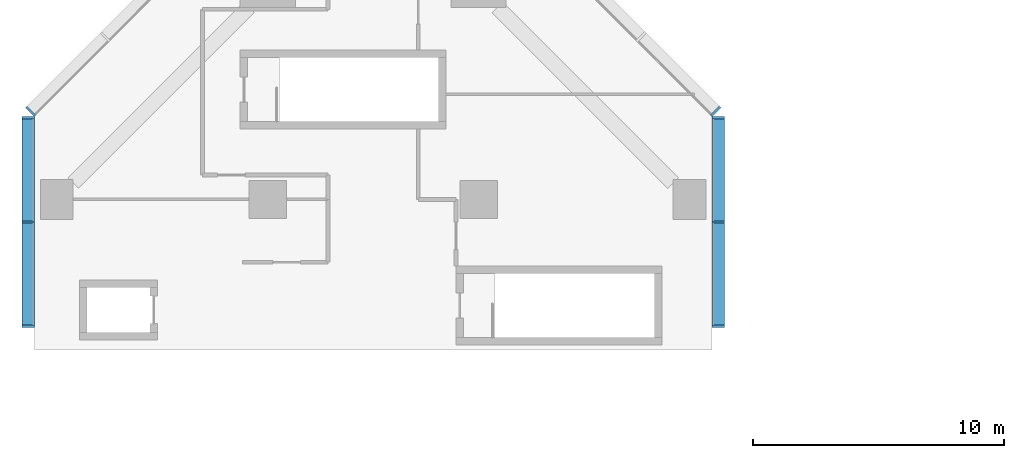
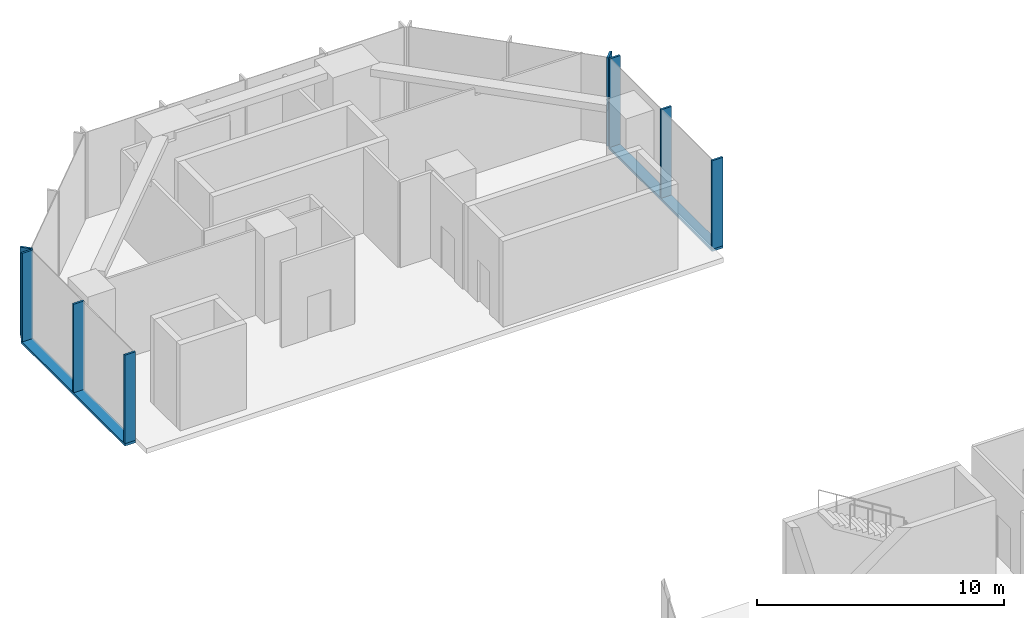
# One storey, part 3 of 13: 10 members, 4 elements without a shape of their own.
"""IFC4 building model written with IfcOpenShell, lengths in metres."""

from ifc_helpers import new_model, si_unit, direction, frame, origin, origin_2d, place, context, subcontext, project, spatial, rectangle, extrude, material, material_profile, profile_set, type_object, element, aggregate, save


model = new_model("IFC4")

# Units and contexts
model_context = context("Model", 3, precision=1e-05, world=origin(), true_north=direction((0.0, 1.0)))
body_context = subcontext(model_context, "Body", "Model", "MODEL_VIEW")
ifc_project = project(units=[si_unit("LENGTHUNIT", "METRE"), si_unit("AREAUNIT", "SQUARE_METRE"), si_unit("VOLUMEUNIT", "CUBIC_METRE"), si_unit("PLANEANGLEUNIT", "RADIAN"), si_unit("MASSUNIT", "GRAM", prefix="KILO")], contexts=[model_context])

# Site, building, storey
site_placement = place(None, origin())
site = spatial("IfcSite", under=ifc_project, at=site_placement, CompositionType="ELEMENT")
building_placement = place(site_placement, origin())
building = spatial("IfcBuilding", under=site, at=building_placement, Name="Brevane Broadcast Tower", CompositionType="ELEMENT")
storey_placement = place(building_placement, frame((0.0, 0.0, 32.0)))
storey = spatial("IfcBuildingStorey", under=building, at=storey_placement, Name="L05", CompositionType="ELEMENT", Elevation=32.0)

# Curtain wall, members
ifc_material = material(Name="Aluminium 6063-T6 bronze anodised", Category="aluminium")
curtain_wall_type = type_object("IfcCurtainWallType", Name="CW-2 curtain wall", PredefinedType="NOTDEFINED", material=ifc_material)
curtain_wall_1_placement = place(storey_placement, origin())
curtain_wall_1 = element("IfcCurtainWall", 1, at=curtain_wall_1_placement, inside=storey, type_object=curtain_wall_type, Name="CW-2 podium base unit L05 north arm east face", PredefinedType="NOTDEFINED")
ifc_material_profile_1 = material_profile(ifc_material, rectangle(XDim=0.5, YDim=0.090087890625, at=origin_2d()), Name="RECT 90x500")
ifc_profile_set_1 = profile_set([ifc_material_profile_1], Name="Aluminium 6063-T6 bronze anodised")
member_type_1 = type_object("IfcMemberType", Name="CW-2 mullion 90x500", PredefinedType="MULLION", material=ifc_profile_set_1)
member_1_placement = place(storey_placement, frame((26.35009765625, 53.7451171875, -0.1298828125), z_axis=(0.0, 0.0, 1.0), x_axis=(-1.0, 0.0, 0.0)))
member_1 = element("IfcMember", 2, at=member_1_placement, type_object=member_type_1, Name="CW-2 mullion", PredefinedType="MULLION", context=body_context, shape_type="SweptSolid", body=[
    extrude(rectangle(XDim=0.5, YDim=0.090087890625, at=origin_2d()), origin(), (0.0, 0.0, 1.0), 4.3798828125),
])
member_2_placement = place(storey_placement, frame((26.35009765625, 57.89990234375, -0.1298828125), z_axis=(0.0, 0.0, 1.0), x_axis=(-1.0, 0.0, 0.0)))
member_2 = element("IfcMember", 3, at=member_2_placement, type_object=member_type_1, Name="CW-2 mullion", PredefinedType="MULLION", context=body_context, shape_type="SweptSolid", body=[
    extrude(rectangle(XDim=0.5, YDim=0.090087890625, at=origin_2d()), origin(), (0.0, 0.0, 1.0), 4.3798828125),
])
member_3_placement = place(storey_placement, frame((26.35009765625, 62.054931640625, -0.1298828125), z_axis=(0.0, 0.0, 1.0), x_axis=(-1.0, 0.0, 0.0)))
member_3 = element("IfcMember", 4, at=member_3_placement, type_object=member_type_1, Name="CW-2 mullion", PredefinedType="MULLION", context=body_context, shape_type="SweptSolid", body=[
    extrude(rectangle(XDim=0.5, YDim=0.090087890625, at=origin_2d()), origin(), (0.0, 0.0, 1.0), 4.3798828125),
])

# Curtain wall, member
curtain_wall_2_placement = place(storey_placement, origin())
curtain_wall_2 = element("IfcCurtainWall", 5, at=curtain_wall_2_placement, inside=storey, type_object=curtain_wall_type, Name="CW-2 podium base unit L05 north arm north-east chamfer", PredefinedType="NOTDEFINED")
member_4_placement = place(storey_placement, frame((26.244873046875, 62.30859375, -0.1298828125), z_axis=(0.0, 0.0, 1.0), x_axis=(-0.707106781187, -0.707106781187, 0.0)))
member_4 = element("IfcMember", 6, at=member_4_placement, type_object=member_type_1, Name="CW-2 mullion", PredefinedType="MULLION", context=body_context, shape_type="SweptSolid", body=[
    extrude(rectangle(XDim=0.5, YDim=0.090087890625, at=origin_2d()), origin(), (0.0, 0.0, 1.0), 4.3798828125),
])
aggregate(curtain_wall_2, [member_4])

curtain_wall_3_placement = place(storey_placement, origin())
curtain_wall_3 = element("IfcCurtainWall", 7, at=curtain_wall_3_placement, inside=storey, type_object=curtain_wall_type, Name="CW-2 podium base unit L05 north-west chamfer", PredefinedType="NOTDEFINED")
member_5_placement = place(storey_placement, frame((-1.044921875, 62.30859375, -0.1298828125), z_axis=(0.0, 0.0, 1.0), x_axis=(0.707106781187, -0.707106781187, 0.0)))
member_5 = element("IfcMember", 8, at=member_5_placement, type_object=member_type_1, Name="CW-2 mullion", PredefinedType="MULLION", context=body_context, shape_type="SweptSolid", body=[
    extrude(rectangle(XDim=0.5, YDim=0.090087890625, at=origin_2d()), origin(), (0.0, 0.0, 1.0), 4.3798828125),
])
aggregate(curtain_wall_3, [member_5])

# Curtain wall, members
curtain_wall_4_placement = place(storey_placement, origin())
curtain_wall_4 = element("IfcCurtainWall", 9, at=curtain_wall_4_placement, inside=storey, type_object=curtain_wall_type, Name="CW-2 podium base unit L05 west face", PredefinedType="NOTDEFINED")
member_6_placement = place(storey_placement, frame((-1.14990234375, 62.054931640625, -0.1298828125), z_axis=(0.0, 0.0, 1.0), x_axis=(1.0, 0.0, 0.0)))
member_6 = element("IfcMember", 10, at=member_6_placement, type_object=member_type_1, Name="CW-2 mullion", PredefinedType="MULLION", context=body_context, shape_type="SweptSolid", body=[
    extrude(rectangle(XDim=0.5, YDim=0.090087890625, at=origin_2d()), origin(), (0.0, 0.0, 1.0), 4.3798828125),
])
member_7_placement = place(storey_placement, frame((-1.14990234375, 57.89990234375, -0.1298828125), z_axis=(0.0, 0.0, 1.0), x_axis=(1.0, 0.0, 0.0)))
member_7 = element("IfcMember", 11, at=member_7_placement, type_object=member_type_1, Name="CW-2 mullion", PredefinedType="MULLION", context=body_context, shape_type="SweptSolid", body=[
    extrude(rectangle(XDim=0.5, YDim=0.090087890625, at=origin_2d()), origin(), (0.0, 0.0, 1.0), 4.3798828125),
])
member_8_placement = place(storey_placement, frame((-1.14990234375, 53.7451171875, -0.1298828125), z_axis=(0.0, 0.0, 1.0), x_axis=(1.0, 0.0, 0.0)))
member_8 = element("IfcMember", 12, at=member_8_placement, type_object=member_type_1, Name="CW-2 mullion", PredefinedType="MULLION", context=body_context, shape_type="SweptSolid", body=[
    extrude(rectangle(XDim=0.5, YDim=0.090087890625, at=origin_2d()), origin(), (0.0, 0.0, 1.0), 4.3798828125),
])

# Member
ifc_material_profile_2 = material_profile(ifc_material, rectangle(XDim=0.5, YDim=0.1201171875, at=origin_2d()), Name="RECT 120x500")
ifc_profile_set_2 = profile_set([ifc_material_profile_2], Name="Aluminium 6063-T6 bronze anodised")
member_type_2 = type_object("IfcMemberType", Name="CW-2 transom 120x500", PredefinedType="USERDEFINED", material=ifc_profile_set_2)
member_9_placement = place(storey_placement, frame((26.35009765625, 53.699951171875, -0.18994140625), z_axis=(0.0, 1.0, 0.0), x_axis=(-1.0, 0.0, 0.0)))
member_9 = element("IfcMember", 13, at=member_9_placement, type_object=member_type_2, Name="CW-2 transom", ObjectType="TRANSOM", PredefinedType="USERDEFINED", context=body_context, shape_type="SweptSolid", body=[
    extrude(rectangle(XDim=0.5, YDim=0.1201171875, at=origin_2d()), origin(), (0.0, 0.0, 1.0), 8.400146484375),
])

aggregate(curtain_wall_1, [member_1, member_2, member_3, member_9])

member_10_placement = place(storey_placement, frame((-1.14990234375, 62.10009765625, -0.18994140625), z_axis=(0.0, -1.0, 0.0), x_axis=(1.0, 0.0, 0.0)))
member_10 = element("IfcMember", 14, at=member_10_placement, type_object=member_type_2, Name="CW-2 transom", ObjectType="TRANSOM", PredefinedType="USERDEFINED", context=body_context, shape_type="SweptSolid", body=[
    extrude(rectangle(XDim=0.5, YDim=0.1201171875, at=origin_2d()), origin(), (0.0, 0.0, 1.0), 8.400146484375),
])

aggregate(curtain_wall_4, [member_6, member_7, member_8, member_10])

save(model, "model.ifc")
